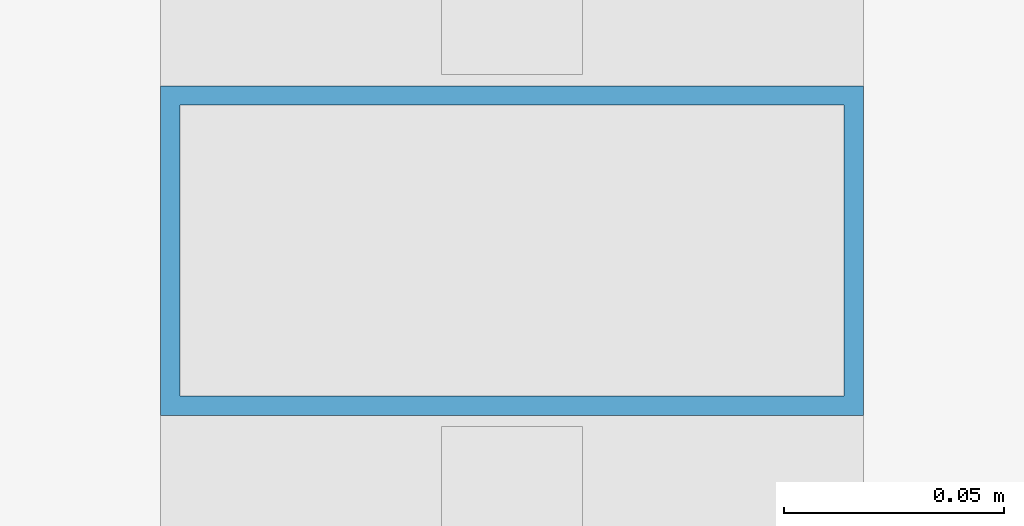
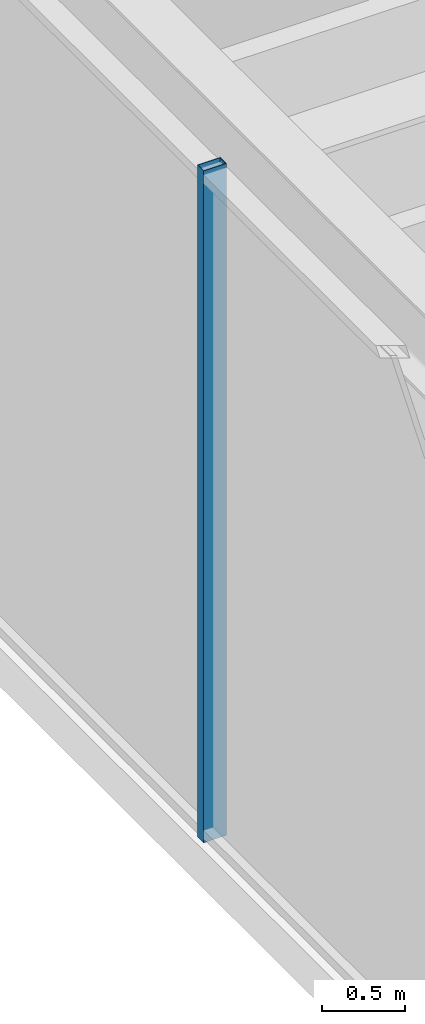
# One storey, part 14 of 49: 1 member, 1 element without a shape of its own.
"""IFC4 building model written with IfcOpenShell, lengths in metres."""

from ifc_helpers import new_model, si_unit, direction, frame, origin, origin_2d, place, context, subcontext, project, spatial, hollow_rectangle, extrude, material, material_profile, profile_set, type_object, element, aggregate, save


model = new_model("IFC4")

# Units and contexts
model_context = context("Model", 3, precision=1e-05, world=origin(), true_north=direction((0.0, 1.0)))
body_context = subcontext(model_context, "Body", "Model", "MODEL_VIEW")
ifc_project = project(units=[si_unit("LENGTHUNIT", "METRE"), si_unit("AREAUNIT", "SQUARE_METRE"), si_unit("VOLUMEUNIT", "CUBIC_METRE"), si_unit("PLANEANGLEUNIT", "RADIAN"), si_unit("MASSUNIT", "GRAM", prefix="KILO")], contexts=[model_context])

# Site, building, storey
site_placement = place(None, origin())
site = spatial("IfcSite", under=ifc_project, at=site_placement, CompositionType="ELEMENT")
building_placement = place(site_placement, origin())
building = spatial("IfcBuilding", under=site, at=building_placement, Name="Kolvaren Belvedere", CompositionType="ELEMENT")
storey_placement = place(building_placement, frame((0.0, 0.0, 10.0)))
storey = spatial("IfcBuildingStorey", under=building, at=storey_placement, Name="L03", CompositionType="ELEMENT", Elevation=10.0)

# Curtain wall, member
ifc_material_1 = material(Name="Anodised pale-metal aluminium AA 6063-T6", Category="aluminium")
curtain_wall_type = type_object("IfcCurtainWallType", Name="CW-POD-A", PredefinedType="NOTDEFINED", material=ifc_material_1)
curtain_wall_placement = place(storey_placement, origin())
curtain_wall = element("IfcCurtainWall", 1, at=curtain_wall_placement, inside=storey, type_object=curtain_wall_type, Name="L03 Unitised Curtain Wall FCW-L03-SEG8", PredefinedType="NOTDEFINED")
ifc_material_2 = material(Name="Anodised pale-metal aluminium AA 6063-T6", Category="aluminium")
ifc_material_profile = material_profile(ifc_material_2, hollow_rectangle(XDim=0.074951171875, YDim=0.159912109375, WallThickness=0.00439453125, at=origin_2d()), Name="ALU-MUL-160X75")
ifc_profile_set = profile_set([ifc_material_profile], Name="Anodised pale-metal aluminium AA 6063-T6")
member_type = type_object("IfcMemberType", Name="CW-MUL-160", PredefinedType="MULLION", material=ifc_profile_set)
member_placement = place(storey_placement, frame((-27.8798828125, 0.0, 0.0), z_axis=(0.0, 0.0, 1.0), x_axis=(0.0, 1.0, 0.0)))
member = element("IfcMember", 2, at=member_placement, type_object=member_type, Name="FCW-L03-SEG8 Unitised Mullion 3", PredefinedType="MULLION", context=body_context, shape_type="SweptSolid", body=[
    extrude(hollow_rectangle(XDim=0.074951171875, YDim=0.159912109375, WallThickness=0.00439453125, at=origin_2d()), origin(), (0.0, 0.0, 1.0), 4.919921875),
])
aggregate(curtain_wall, [member])

save(model, "model.ifc")
